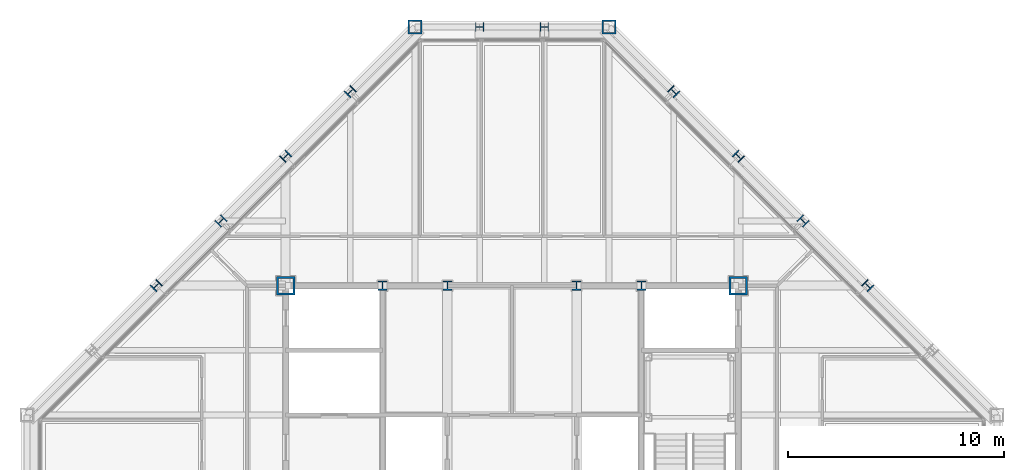
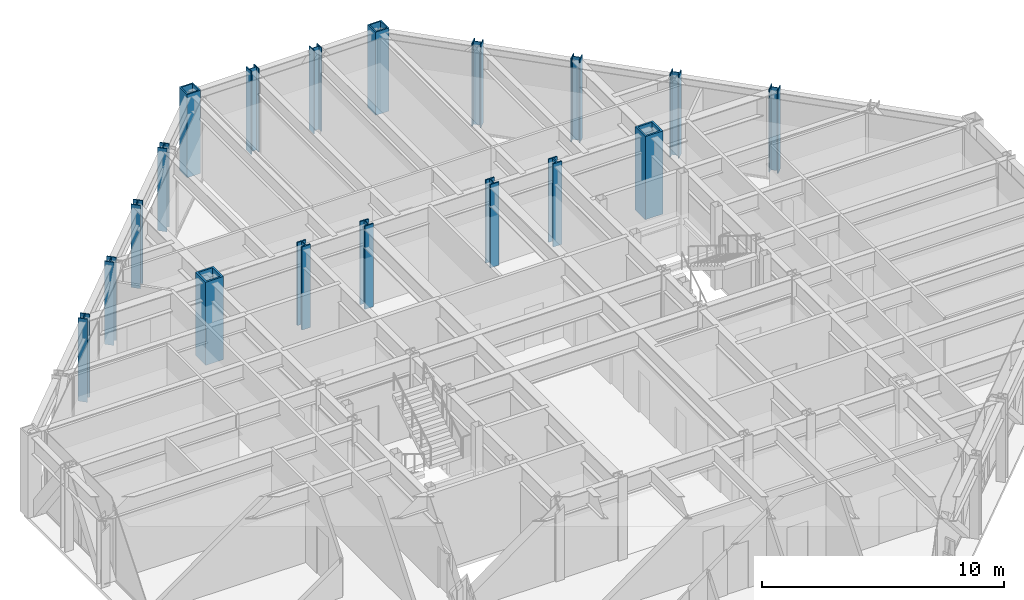
# One storey, part 4 of 15: 18 columns.
"""IFC4 building model written with IfcOpenShell, lengths in metres."""

import ifcopenshell
import ifcopenshell.guid

model = None  # the IFC model being written
_history = None  # IfcOwnerHistory: only IFC2X3 demands one
_inside = {}  # id of a spatial element -> (the spatial element, [elements in it])
_under = {}  # id of a project, library or spatial element -> (it, [spatial elements below it])
_declared = {}  # id of a project -> (the project, [libraries it declares])
_typed = {}  # id of a type object -> (the type object, [elements of that type])
_made_of = {}  # id of a material, layer set ... -> (it, [elements and type objects made of it])


def new_model(schema):
    """Start an empty IFC model of exactly this schema.

    Asked for "IFC4X3", IfcOpenShell would pick the latest addendum, in which some entities
    have other attributes; the version numbers below select the first issue.
    IFC2X3 requires an IfcOwnerHistory on every rooted entity: one is made here for all.
    """
    global model, _history
    if schema == "IFC4X3":
        model = ifcopenshell.file(schema_version=(4, 3, 0, 0))
    else:
        model = ifcopenshell.file(schema=schema)
    _inside.clear()
    _under.clear()
    _declared.clear()
    _typed.clear()
    _made_of.clear()
    _history = None
    if model.schema == "IFC2X3":
        org = make("IfcOrganization", Name="unknown")
        user = make(
            "IfcPersonAndOrganization",
            ThePerson=make("IfcPerson", FamilyName="unknown"),
            TheOrganization=org,
        )
        app = make(
            "IfcApplication",
            ApplicationDeveloper=org,
            Version="unknown",
            ApplicationFullName="unknown",
            ApplicationIdentifier="unknown",
        )
        _history = make(
            "IfcOwnerHistory",
            OwningUser=user,
            OwningApplication=app,
            ChangeAction="ADDED",
            CreationDate=0,
        )
    return model


def make(cls, **values):
    """One entity of the class cls with the attributes given. An attribute that is None is left unset."""
    return model.create_entity(
        cls, **{name: value for name, value in values.items() if value is not None}
    )


def rooted(cls, **values):
    """An entity with a GlobalId (a new one), such as an element, a storey or a relation."""
    return make(cls, GlobalId=ifcopenshell.guid.new(), OwnerHistory=_history, **values)


def si_unit(unit_type, name, prefix=None):
    """IfcSIUnit, for example si_unit("LENGTHUNIT", "METRE", prefix="MILLI")."""
    return make("IfcSIUnit", UnitType=unit_type, Prefix=prefix, Name=name)


def assignment(units):
    """IfcUnitAssignment: the units of a project."""
    return None if units is None else make("IfcUnitAssignment", Units=units)


def point(xyz):
    """IfcCartesianPoint."""
    return None if xyz is None else make("IfcCartesianPoint", Coordinates=xyz)


def direction(xyz):
    """IfcDirection."""
    return None if xyz is None else make("IfcDirection", DirectionRatios=xyz)


def frame(location, z_axis=None, x_axis=None):
    """IfcAxis2Placement3D, a coordinate frame: its origin and axes. An axis left out is left unset."""
    return make(
        "IfcAxis2Placement3D",
        Location=point(location),
        Axis=direction(z_axis),
        RefDirection=direction(x_axis),
    )


def frame_2d(location, x_axis=None):
    """IfcAxis2Placement2D, a coordinate frame in the plane: its origin and x axis."""
    return make(
        "IfcAxis2Placement2D", Location=point(location), RefDirection=direction(x_axis)
    )


def origin():
    """The frame at (0, 0, 0) with its axes left unset."""
    return frame((0.0, 0.0, 0.0))


def origin_2d():
    """The frame at (0, 0) in the plane with its x axis left unset."""
    return frame_2d((0.0, 0.0))


def place(relative_to, where):
    """IfcLocalPlacement: puts the frame where relative to a parent placement (None: the world)."""
    return make(
        "IfcLocalPlacement", PlacementRelTo=relative_to, RelativePlacement=where
    )


def context(
    kind, dimensions, precision=None, world=None, true_north=None, identifier=None
):
    """IfcGeometricRepresentationContext, for example the 3D "Model" context."""
    return make(
        "IfcGeometricRepresentationContext",
        ContextIdentifier=identifier,
        ContextType=kind,
        CoordinateSpaceDimension=dimensions,
        Precision=precision,
        WorldCoordinateSystem=world,
        TrueNorth=true_north,
    )


def subcontext(parent, identifier, kind, view, scale=None):
    """IfcGeometricRepresentationSubContext, for example "Body" below "Model"."""
    return make(
        "IfcGeometricRepresentationSubContext",
        ContextIdentifier=identifier,
        ContextType=kind,
        ParentContext=parent,
        TargetScale=scale,
        TargetView=view,
    )


def project(units=None, contexts=None):
    """IfcProject with its units and contexts."""
    return rooted(
        "IfcProject",
        Name="project",
        RepresentationContexts=contexts,
        UnitsInContext=assignment(units),
    )


def spatial(cls, under=None, at=None, **own):
    """A site, building, storey or space (cls), placed at a placement, below another one or the project."""
    s = rooted(cls, ObjectPlacement=at, **own)
    if under is not None:
        _under.setdefault(under.id(), (under, []))[1].append(s)
    return s


def profile(cls, at=None, kind="AREA", **sizes):
    """A parametric profile (cls). Its sizes go by their IFC names, for example OverallWidth=200.0."""
    return make(cls, ProfileType=kind, Position=at, **sizes)


def hollow_rectangle(**sizes):
    """IfcRectangleHollowProfileDef."""
    return profile("IfcRectangleHollowProfileDef", **sizes)


def i_section(**sizes):
    """IfcIShapeProfileDef."""
    return profile("IfcIShapeProfileDef", **sizes)


def extrude(swept, where, along, depth):
    """IfcExtrudedAreaSolid: the profile swept, set in the frame where, extruded along a direction by depth."""
    return make(
        "IfcExtrudedAreaSolid",
        SweptArea=swept,
        Position=where,
        ExtrudedDirection=direction(along),
        Depth=depth,
    )


def shape(context_of_items, identifier, shape_type, items):
    """IfcShapeRepresentation: the items that make up one representation, for example the "Body"."""
    return make(
        "IfcShapeRepresentation",
        ContextOfItems=context_of_items,
        RepresentationIdentifier=identifier,
        RepresentationType=shape_type,
        Items=items,
    )


def material(Name=None, Category=None):
    """IfcMaterial."""
    return make("IfcMaterial", Name=Name, Category=Category)


def material_profile(
    of_material, cross_section, Name=None, Category=None, Priority=None
):
    """IfcMaterialProfile: a cross section and its material."""
    return make(
        "IfcMaterialProfile",
        Name=Name,
        Material=of_material,
        Profile=cross_section,
        Priority=Priority,
        Category=Category,
    )


def profile_set(profiles, Name=None, composite=None):
    """IfcMaterialProfileSet."""
    return make(
        "IfcMaterialProfileSet",
        Name=Name,
        MaterialProfiles=profiles,
        CompositeProfile=composite,
    )


def made_of(thing, what):
    """Note that an element or type object is made of a material, layer set ...; save() writes the relation."""
    if what is not None:
        _made_of.setdefault(what.id(), (what, []))[1].append(thing)
    return thing


def type_object(cls, material=None, **own):
    """A type object (cls), such as IfcWallType, which elements share."""
    return made_of(rooted(cls, **own), material)


def element(
    cls,
    number,
    at=None,
    inside=None,
    cuts=None,
    type_object=None,
    material=None,
    context=None,
    identifier="Body",
    shape_type=None,
    held_by="IfcProductDefinitionShape",
    body=None,
    shapes=None,
    **own,
):
    """One element of the class cls, such as IfcWall. Its Tag is "e" and its number.

    at: its placement. inside: the storey or other place that contains it. cuts: it is an
    opening in that element (IfcRelVoidsElement). A single representation is given by context,
    identifier, shape_type and body (its items); several are given by shapes. held_by: the class
    of the entity that holds the representations. save() writes the other relations.
    """
    e = rooted(cls, Tag="e%d" % number, ObjectPlacement=at, **own)
    if body is not None:
        shapes = [shape(context, identifier, shape_type, body)]
    if shapes is not None:
        e.Representation = make(held_by, Representations=shapes)
    if inside is not None:
        _inside.setdefault(inside.id(), (inside, []))[1].append(e)
    if cuts is not None:
        rooted(
            "IfcRelVoidsElement", RelatingBuildingElement=cuts, RelatedOpeningElement=e
        )
    if type_object is not None:
        _typed.setdefault(type_object.id(), (type_object, []))[1].append(e)
    return made_of(e, material)


def aggregate(whole, parts):
    """IfcRelAggregates: a whole, such as a stair, and the parts it consists of."""
    return rooted("IfcRelAggregates", RelatingObject=whole, RelatedObjects=parts)


def save(model, path):
    """Write the relations noted so far, then the file.

    IfcRelAggregates (storeys below a building ...), IfcRelContainedInSpatialStructure (elements
    in a storey), IfcRelDefinesByType, IfcRelAssociatesMaterial and IfcRelDeclares: one each for
    every whole, place, type object, material and project.
    """
    for whole, parts in _under.values():
        aggregate(whole, parts)
    for where, things in _inside.values():
        rooted(
            "IfcRelContainedInSpatialStructure",
            RelatedElements=things,
            RelatingStructure=where,
        )
    for kind, things in _typed.values():
        rooted("IfcRelDefinesByType", RelatedObjects=things, RelatingType=kind)
    for what, things in _made_of.values():
        rooted("IfcRelAssociatesMaterial", RelatedObjects=things, RelatingMaterial=what)
    for by, libraries in _declared.values():
        rooted("IfcRelDeclares", RelatingContext=by, RelatedDefinitions=libraries)
    model.write(path)


model = new_model("IFC4")

# Units and contexts
model_context = context("Model", 3, precision=1e-05, world=origin(), true_north=direction((0.0, 1.0)))
body_context = subcontext(model_context, "Body", "Model", "MODEL_VIEW")
ifc_project = project(units=[si_unit("LENGTHUNIT", "METRE"), si_unit("AREAUNIT", "SQUARE_METRE"), si_unit("VOLUMEUNIT", "CUBIC_METRE"), si_unit("PLANEANGLEUNIT", "RADIAN"), si_unit("MASSUNIT", "GRAM", prefix="KILO")], contexts=[model_context])

# Site, building, storey
site_placement = place(None, origin())
site = spatial("IfcSite", under=ifc_project, at=site_placement, CompositionType="ELEMENT")
building_placement = place(site_placement, origin())
building = spatial("IfcBuilding", under=site, at=building_placement, Name="Chuquiago Exchange Tower", CompositionType="ELEMENT")
storey_placement = place(building_placement, frame((0.0, 0.0, 295.800048828125)))
storey = spatial("IfcBuildingStorey", under=building, at=storey_placement, Name="L66", CompositionType="ELEMENT", Elevation=295.800048828125)

# Columns
ifc_material_1 = material(Name="Steel ASTM A992", Category="steel")
ifc_material_profile_1 = material_profile(ifc_material_1, i_section(OverallWidth=0.4013671875, OverallDepth=0.398681640625, WebThickness=0.02490234375, FlangeThickness=0.03955078125, at=origin_2d()), Name="W14X211")
ifc_profile_set_1 = profile_set([ifc_material_profile_1], Name="Steel ASTM A992")
column_type_1 = type_object("IfcColumnType", Name="C9 W14X211", PredefinedType="COLUMN", material=ifc_profile_set_1)
for number, where, z_axis, x_axis, name in (
    (1, (24.0, 45.0, 0.0), (0.0, 0.0, 1.0), (0.0, 1.0, 0.0), "COL-L66-24_45"),
    (2, (21.0, 45.0, 0.0), (0.0, 0.0, 1.0), (0.0, 1.0, 0.0), "COL-L66-21_45"),
):
    element("IfcColumn", number, at=place(storey_placement, frame(where, z_axis=z_axis, x_axis=x_axis)), inside=storey, type_object=column_type_1, Name=name, PredefinedType="COLUMN", context=body_context, shape_type="SweptSolid", body=[
        extrude(i_section(OverallWidth=0.4013671875, OverallDepth=0.398681640625, WebThickness=0.02490234375, FlangeThickness=0.03955078125, at=origin_2d()), origin(), (0.0, 0.0, 1.0), 4.199951171875),
    ])
ifc_material_2 = material(Name="Steel ASTM A572 Grade 50", Category="steel")
ifc_material_profile_2 = material_profile(ifc_material_2, hollow_rectangle(XDim=0.85009765625, YDim=0.85009765625, WallThickness=0.0849609375, at=origin_2d()), Name="BOX850X850X85")
ifc_profile_set_2 = profile_set([ifc_material_profile_2], Name="Steel ASTM A572 Grade 50")
column_type_2 = type_object("IfcColumnType", Name="CC6 BOX850X850X85", PredefinedType="COLUMN", material=ifc_profile_set_2)
for number, where, z_axis, x_axis, name in (
    (3, (12.0, 33.0, 0.0), (0.0, 0.0, 1.0), (1.0, 0.0, 0.0), "CCOL-L66-12_33"),
    (4, (33.0, 33.0, 0.0), (0.0, 0.0, 1.0), (1.0, 0.0, 0.0), "CCOL-L66-33_33"),
):
    element("IfcColumn", number, at=place(storey_placement, frame(where, z_axis=z_axis, x_axis=x_axis)), inside=storey, type_object=column_type_2, Name=name, PredefinedType="COLUMN", context=body_context, shape_type="SweptSolid", body=[
        extrude(hollow_rectangle(XDim=0.85009765625, YDim=0.85009765625, WallThickness=0.0849609375, at=origin_2d()), origin(), (0.0, 0.0, 1.0), 4.199951171875),
    ])
ifc_material_3 = material(Name="Steel ASTM A992", Category="steel")
ifc_material_profile_3 = material_profile(ifc_material_3, i_section(OverallWidth=0.41650390625, OverallDepth=0.444580078125, WebThickness=0.0390625, FlangeThickness=0.062744140625, at=origin_2d()), Name="W14X342")
ifc_profile_set_3 = profile_set([ifc_material_profile_3], Name="Steel ASTM A992")
column_type_3 = type_object("IfcColumnType", Name="CC9 W14X342", PredefinedType="COLUMN", material=ifc_profile_set_3)
for number, where, z_axis, x_axis, name in (
    (5, (16.5, 33.0, 0.0), (0.0, 0.0, 1.0), (1.0, 0.0, 0.0), "CCOL-L66-16.5_33"),
    (6, (19.5, 33.0, 0.0), (0.0, 0.0, 1.0), (1.0, 0.0, 0.0), "CCOL-L66-19.5_33"),
    (7, (25.5, 33.0, 0.0), (0.0, 0.0, 1.0), (1.0, 0.0, 0.0), "CCOL-L66-25.5_33"),
    (8, (28.5, 33.0, 0.0), (0.0, 0.0, 1.0), (1.0, 0.0, 0.0), "CCOL-L66-28.5_33"),
):
    element("IfcColumn", number, at=place(storey_placement, frame(where, z_axis=z_axis, x_axis=x_axis)), inside=storey, type_object=column_type_3, Name=name, PredefinedType="COLUMN", context=body_context, shape_type="SweptSolid", body=[
        extrude(i_section(OverallWidth=0.41650390625, OverallDepth=0.444580078125, WebThickness=0.0390625, FlangeThickness=0.062744140625, at=origin_2d()), origin(), (0.0, 0.0, 1.0), 4.199951171875),
    ])
ifc_material_4 = material(Name="Steel ASTM A992", Category="steel")
ifc_material_profile_4 = material_profile(ifc_material_4, i_section(OverallWidth=0.40380859375, OverallDepth=0.406494140625, WebThickness=0.027099609375, FlangeThickness=0.043701171875, at=origin_2d()), Name="W14X233")
ifc_profile_set_4 = profile_set([ifc_material_profile_4], Name="Steel ASTM A992")
column_type_4 = type_object("IfcColumnType", Name="CK8 W14X233", PredefinedType="COLUMN", material=ifc_profile_set_4)
for number, where, z_axis, x_axis, name in (
    (9, (39.0, 33.0, 0.0), (0.0, 0.0, 1.0), (0.707106781187, 0.707106781187, 0.0), "COL-L66-39_33"),
    (10, (36.0, 36.0, 0.0), (0.0, 0.0, 1.0), (0.707106781187, 0.707106781187, 0.0), "COL-L66-36_36"),
    (11, (33.0, 39.0, 0.0), (0.0, 0.0, 1.0), (0.707106781187, 0.707106781187, 0.0), "COL-L66-33_39"),
    (12, (30.0, 42.0, 0.0), (0.0, 0.0, 1.0), (0.707106781187, 0.707106781187, 0.0), "COL-L66-30_42"),
    (13, (15.0, 42.0, 0.0), (0.0, 0.0, 1.0), (-0.707106781187, 0.707106781187, 0.0), "COL-L66-15_42"),
    (14, (12.0, 39.0, 0.0), (0.0, 0.0, 1.0), (-0.707106781187, 0.707106781187, 0.0), "COL-L66-12_39"),
    (15, (9.0, 36.0, 0.0), (0.0, 0.0, 1.0), (-0.707106781187, 0.707106781187, 0.0), "COL-L66-9_36"),
    (16, (6.0, 33.0, 0.0), (0.0, 0.0, 1.0), (-0.707106781187, 0.707106781187, 0.0), "COL-L66-6_33"),
):
    element("IfcColumn", number, at=place(storey_placement, frame(where, z_axis=z_axis, x_axis=x_axis)), inside=storey, type_object=column_type_4, Name=name, PredefinedType="COLUMN", context=body_context, shape_type="SweptSolid", body=[
        extrude(i_section(OverallWidth=0.40380859375, OverallDepth=0.406494140625, WebThickness=0.027099609375, FlangeThickness=0.043701171875, at=origin_2d()), origin(), (0.0, 0.0, 1.0), 4.199951171875),
    ])
ifc_material_5 = material(Name="Steel ASTM A572 Grade 50", Category="steel")
ifc_material_profile_5 = material_profile(ifc_material_5, hollow_rectangle(XDim=0.64990234375, YDim=0.64990234375, WallThickness=0.06494140625, at=origin_2d()), Name="BOX650X650X65")
ifc_profile_set_5 = profile_set([ifc_material_profile_5], Name="Steel ASTM A572 Grade 50")
column_type_5 = type_object("IfcColumnType", Name="CN2 BOX650X650X65", PredefinedType="COLUMN", material=ifc_profile_set_5)
for number, where, z_axis, x_axis, name in (
    (17, (27.0, 45.0, 0.0), (0.0, 0.0, 1.0), (0.0, 1.0, 0.0), "COL-L66-27_45"),
    (18, (18.0, 45.0, 0.0), (0.0, 0.0, 1.0), (0.0, 1.0, 0.0), "COL-L66-18_45"),
):
    element("IfcColumn", number, at=place(storey_placement, frame(where, z_axis=z_axis, x_axis=x_axis)), inside=storey, type_object=column_type_5, Name=name, PredefinedType="COLUMN", context=body_context, shape_type="SweptSolid", body=[
        extrude(hollow_rectangle(XDim=0.64990234375, YDim=0.64990234375, WallThickness=0.06494140625, at=origin_2d()), origin(), (0.0, 0.0, 1.0), 4.199951171875),
    ])

save(model, "model.ifc")
